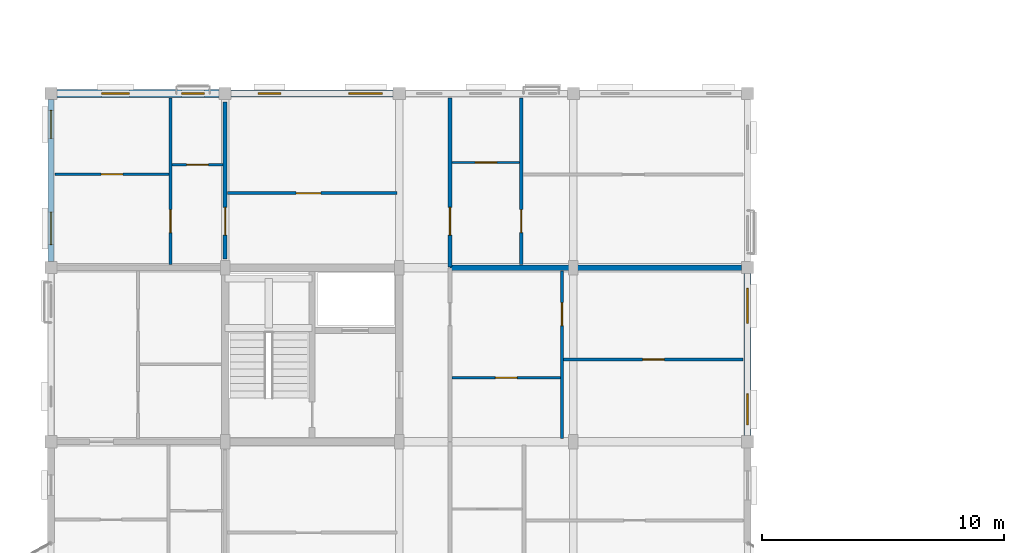
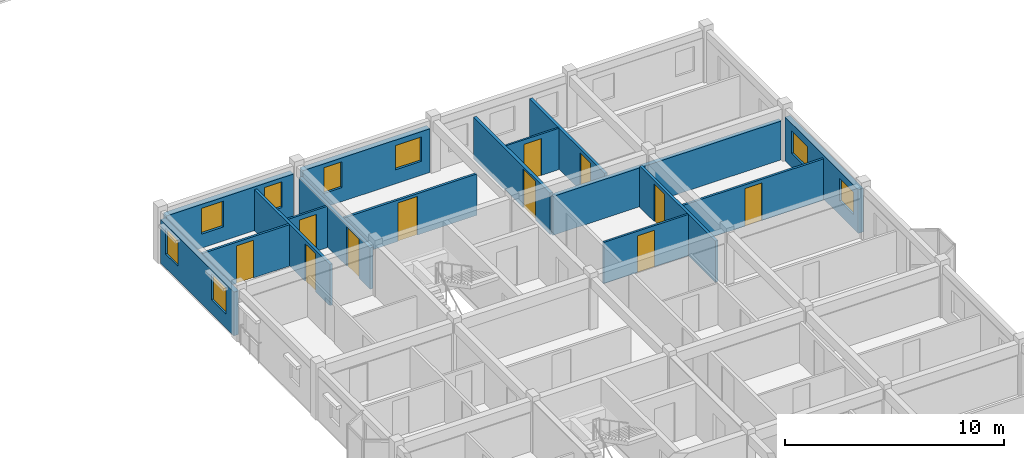
# One storey, part 42 of 64: 16 walls, 11 doors, 8 windows, 19 openings.
"""IFC4 building model written with IfcOpenShell, lengths in metres."""

from ifc_helpers import new_model, si_unit, direction, frame, frame_2d, origin, place, context, subcontext, project, spatial, rectangle, extrude, material, layer, layer_set, type_object, element, fill, save


model = new_model("IFC4")

# Units and contexts
model_context = context("Model", 3, precision=1e-05, world=origin(), true_north=direction((0.0, 1.0)))
body_context = subcontext(model_context, "Body", "Model", "MODEL_VIEW")
ifc_project = project(units=[si_unit("LENGTHUNIT", "METRE"), si_unit("AREAUNIT", "SQUARE_METRE"), si_unit("VOLUMEUNIT", "CUBIC_METRE"), si_unit("PLANEANGLEUNIT", "RADIAN"), si_unit("MASSUNIT", "GRAM", prefix="KILO"), si_unit("THERMODYNAMICTEMPERATUREUNIT", "KELVIN"), si_unit("POWERUNIT", "WATT")], contexts=[model_context])

# Site, building, storey
site_placement = place(None, origin())
site = spatial("IfcSite", under=ifc_project, at=site_placement, CompositionType="ELEMENT")
building_placement = place(site_placement, origin())
building = spatial("IfcBuilding", under=site, at=building_placement, Name="Tavuni Mirador Residences", CompositionType="ELEMENT")
storey_placement = place(building_placement, frame((0.0, 0.0, 26.550048828125)))
storey = spatial("IfcBuildingStorey", under=building, at=storey_placement, Name="L08", CompositionType="ELEMENT", Elevation=26.550048828125)

# Wall, opening, door
ifc_material_1 = material(Name="Precast concrete C40/50", Category="concrete")
ifc_layer_1 = layer(ifc_material_1, 0.1650390625, Name="Precast concrete C40/50", Category="concrete")
ifc_layer_set_1 = layer_set([ifc_layer_1], Name="Precast concrete C40/50")
wall_type_1 = type_object("IfcWallType", Name="WT-CORR165", PredefinedType="PARTITIONING", material=ifc_layer_set_1)
wall_1_placement = place(storey_placement, frame((20.10009765625, 36.02001953125, 0.0), z_axis=(0.0, 0.0, 1.0), x_axis=(0.0, 1.0, 0.0)))
wall_1 = element("IfcWall", 1, at=wall_1_placement, inside=storey, type_object=wall_type_1, Name="CORW-BLK-A-L08-0-04", PredefinedType="PARTITIONING", context=body_context, shape_type="SweptSolid", body=[
    extrude(rectangle(XDim=7.0048828125, YDim=0.1650390625, at=frame_2d((3.50244140625, 0.0))), origin(), (0.0, 0.0, 1.0), 2.304931640625),
])
opening_1_placement = place(wall_1_placement, frame((1.330078125, 0.0, 0.0)))
opening_1 = element("IfcOpeningElement", 2, at=opening_1_placement, cuts=wall_1, Name="Opening D-20", PredefinedType="OPENING", context=body_context, shape_type="SweptSolid", body=[
    extrude(rectangle(XDim=1.139892578125, YDim=2.179931640625, at=frame_2d((0.56982421875, 1.08984375))), frame((0.0, 0.092529296875, 0.0), z_axis=(0.0, -1.0, 0.0), x_axis=(1.0, 0.0, 0.0)), (0.0, 0.0, 1.0), 0.18505859375),
])
ifc_material_2 = material(Name="Solid core iroko timber", Category="wood")
door_type_1 = type_object("IfcDoorType", Name="DT-FD60-1140", OperationType="NOTDEFINED", PredefinedType="DOOR", material=ifc_material_2)
door_1_placement = place(opening_1_placement, origin())
door_1 = element("IfcDoor", 3, at=door_1_placement, inside=storey, type_object=door_type_1, Name="DR-2465", OperationType="SINGLE_SWING_RIGHT", OverallHeight=2.179931640625, OverallWidth=1.139892578125, PredefinedType="DOOR", context=body_context, shape_type="SweptSolid", body=[
    extrude(rectangle(XDim=1.139892578125, YDim=2.179931640625, at=frame_2d((0.56982421875, 1.08984375))), frame((0.0, 0.02490234375, 0.0), z_axis=(0.0, -1.0, 0.0), x_axis=(1.0, 0.0, 0.0)), (0.0, 0.0, 1.0), 0.050048828125),
])
fill(opening_1, door_1)

wall_2_placement = place(storey_placement, frame((10.800048828125, 36.35009765625, 0.0), z_axis=(0.0, 0.0, 1.0), x_axis=(0.0, 1.0, 0.0)))
wall_2 = element("IfcWall", 4, at=wall_2_placement, inside=storey, type_object=wall_type_1, Name="CORW-BLK-A-L08-1-04", PredefinedType="PARTITIONING", context=body_context, shape_type="SweptSolid", body=[
    extrude(rectangle(XDim=6.5, YDim=0.1650390625, at=frame_2d((3.25, 0.0))), origin(), (0.0, 0.0, 1.0), 2.304931640625),
])
opening_2_placement = place(wall_2_placement, frame((1.0, 0.0, 0.0)))
opening_2 = element("IfcOpeningElement", 5, at=opening_2_placement, cuts=wall_2, Name="Opening D-20", PredefinedType="OPENING", context=body_context, shape_type="SweptSolid", body=[
    extrude(rectangle(XDim=1.139892578125, YDim=2.179931640625, at=frame_2d((0.56982421875, 1.08984375))), frame((0.0, 0.092529296875, 0.0), z_axis=(0.0, -1.0, 0.0), x_axis=(1.0, 0.0, 0.0)), (0.0, 0.0, 1.0), 0.18505859375),
])
door_2_placement = place(opening_2_placement, origin())
door_2 = element("IfcDoor", 6, at=door_2_placement, inside=storey, type_object=door_type_1, Name="DR-2468", OperationType="SINGLE_SWING_LEFT", OverallHeight=2.179931640625, OverallWidth=1.139892578125, PredefinedType="DOOR", context=body_context, shape_type="SweptSolid", body=[
    extrude(rectangle(XDim=1.139892578125, YDim=2.179931640625, at=frame_2d((0.56982421875, 1.08984375))), frame((0.0, 0.02490234375, 0.0), z_axis=(0.0, -1.0, 0.0), x_axis=(1.0, 0.0, 0.0)), (0.0, 0.0, 1.0), 0.050048828125),
])
fill(opening_2, door_2)

# Wall, openings, windows
ifc_material_3 = material(Name="Sgraffito lime-rendered precast concrete C40/50", Category="concrete")
ifc_layer_2 = layer(ifc_material_3, 0.2548828125, Name="Sgraffito lime-rendered precast concrete C40/50", Category="concrete")
ifc_layer_set_2 = layer_set([ifc_layer_2], Name="Sgraffito lime-rendered precast concrete C40/50")
wall_type_2 = type_object("IfcWallType", Name="WT-EXT-PC255", PredefinedType="SOLIDWALL", material=ifc_layer_set_2)
wall_3_placement = place(storey_placement, frame((3.60009765625, 42.949951171875, 0.0), z_axis=(0.0, 0.0, 1.0), x_axis=(0.0, -1.0, 0.0)))
wall_3 = element("IfcWall", 7, at=wall_3_placement, inside=storey, type_object=wall_type_2, Name="EW-BLK-A-L08-W04", PredefinedType="SOLIDWALL", context=body_context, shape_type="SweptSolid", body=[
    extrude(rectangle(XDim=6.699951171875, YDim=0.2548828125, at=frame_2d((3.35009765625, 0.0))), origin(), (0.0, 0.0, 1.0), 2.43994140625),
])
opening_3_placement = place(wall_3_placement, frame((0.449951171875, 0.0, 0.780029296875)))
opening_3 = element("IfcOpeningElement", 8, at=opening_3_placement, cuts=wall_3, Name="Opening WN-27", PredefinedType="OPENING", context=body_context, shape_type="SweptSolid", body=[
    extrude(rectangle(XDim=1.14990234375, YDim=1.43994140625, at=frame_2d((0.574951171875, 0.719970703125))), frame((0.0, 0.137451171875, 0.0), z_axis=(0.0, -1.0, 0.0), x_axis=(1.0, 0.0, 0.0)), (0.0, 0.0, 1.0), 0.27490234375),
])
opening_4_placement = place(wall_3_placement, frame((4.64990234375, 0.0, 0.780029296875)))
opening_4 = element("IfcOpeningElement", 9, at=opening_4_placement, cuts=wall_3, Name="Opening WN-29", PredefinedType="OPENING", context=body_context, shape_type="SweptSolid", body=[
    extrude(rectangle(XDim=1.35009765625, YDim=1.43994140625, at=frame_2d((0.675048828125, 0.719970703125))), frame((0.0, 0.137451171875, 0.0), z_axis=(0.0, -1.0, 0.0), x_axis=(1.0, 0.0, 0.0)), (0.0, 0.0, 1.0), 0.27490234375),
])
ifc_material_4 = material(Name="Laminated solar-control glass", Category="glass")
window_type_1 = type_object("IfcWindowType", Name="WNT-27", PartitioningType="SINGLE_PANEL", PredefinedType="WINDOW", material=ifc_material_4)
window_1_placement = place(opening_3_placement, origin())
window_1 = element("IfcWindow", 10, at=window_1_placement, inside=storey, type_object=window_type_1, Name="WIN-0318", OverallHeight=1.43994140625, OverallWidth=1.14990234375, PartitioningType="SINGLE_PANEL", PredefinedType="WINDOW", context=body_context, shape_type="SweptSolid", body=[
    extrude(rectangle(XDim=1.14990234375, YDim=1.43994140625, at=frame_2d((0.574951171875, 0.719970703125))), frame((0.0, 0.030029296875, 0.0), z_axis=(0.0, -1.0, 0.0), x_axis=(1.0, 0.0, 0.0)), (0.0, 0.0, 1.0), 0.06005859375),
])
fill(opening_3, window_1)
window_type_2 = type_object("IfcWindowType", Name="WNT-29", PartitioningType="SINGLE_PANEL", PredefinedType="WINDOW", material=ifc_material_4)
window_2_placement = place(opening_4_placement, origin())
window_2 = element("IfcWindow", 11, at=window_2_placement, inside=storey, type_object=window_type_2, Name="WIN-0319", OverallHeight=1.43994140625, OverallWidth=1.35009765625, PartitioningType="SINGLE_PANEL", PredefinedType="WINDOW", context=body_context, shape_type="SweptSolid", body=[
    extrude(rectangle(XDim=1.35009765625, YDim=1.43994140625, at=frame_2d((0.675048828125, 0.719970703125))), frame((0.0, 0.030029296875, 0.0), z_axis=(0.0, -1.0, 0.0), x_axis=(1.0, 0.0, 0.0)), (0.0, 0.0, 1.0), 0.06005859375),
])
fill(opening_4, window_2)

ifc_layer_3 = layer(ifc_material_3, 0.27490234375, Name="Sgraffito lime-rendered precast concrete C40/50", Category="concrete")
ifc_layer_set_3 = layer_set([ifc_layer_3], Name="Sgraffito lime-rendered precast concrete C40/50")
wall_type_3 = type_object("IfcWallType", Name="WT-EXT-PC275", PredefinedType="SOLIDWALL", material=ifc_layer_set_3)
wall_4_placement = place(storey_placement, frame((32.39990234375, 29.050048828125, 0.0), z_axis=(0.0, 0.0, 1.0), x_axis=(0.0, 1.0, 0.0)))
wall_4 = element("IfcWall", 12, at=wall_4_placement, inside=storey, type_object=wall_type_3, Name="EW-BLK-A-L08-E03", PredefinedType="SOLIDWALL", context=body_context, shape_type="SweptSolid", body=[
    extrude(rectangle(XDim=6.699951171875, YDim=0.27490234375, at=frame_2d((3.35009765625, 0.0))), origin(), (0.0, 0.0, 1.0), 2.43994140625),
])
opening_5_placement = place(wall_4_placement, frame((0.449951171875, 0.0, 0.780029296875)))
opening_5 = element("IfcOpeningElement", 13, at=opening_5_placement, cuts=wall_4, Name="Opening WN-14", PredefinedType="OPENING", context=body_context, shape_type="SweptSolid", body=[
    extrude(rectangle(XDim=1.280029296875, YDim=1.260009765625, at=frame_2d((0.64013671875, 0.6298828125))), frame((0.0, 0.1474609375, 0.0), z_axis=(0.0, -1.0, 0.0), x_axis=(1.0, 0.0, 0.0)), (0.0, 0.0, 1.0), 0.294921875),
])
opening_6_placement = place(wall_4_placement, frame((4.64990234375, 0.0, 0.780029296875)))
opening_6 = element("IfcOpeningElement", 14, at=opening_6_placement, cuts=wall_4, Name="Opening WN-16", PredefinedType="OPENING", context=body_context, shape_type="SweptSolid", body=[
    extrude(rectangle(XDim=1.43994140625, YDim=1.260009765625, at=frame_2d((0.719970703125, 0.6298828125))), frame((0.0, 0.1474609375, 0.0), z_axis=(0.0, -1.0, 0.0), x_axis=(1.0, 0.0, 0.0)), (0.0, 0.0, 1.0), 0.294921875),
])
window_type_3 = type_object("IfcWindowType", Name="WNT-14", PartitioningType="SINGLE_PANEL", PredefinedType="WINDOW", material=ifc_material_4)
window_3_placement = place(opening_5_placement, origin())
window_3 = element("IfcWindow", 15, at=window_3_placement, inside=storey, type_object=window_type_3, Name="WIN-0305", OverallHeight=1.260009765625, OverallWidth=1.280029296875, PartitioningType="SINGLE_PANEL", PredefinedType="WINDOW", context=body_context, shape_type="SweptSolid", body=[
    extrude(rectangle(XDim=1.280029296875, YDim=1.260009765625, at=frame_2d((0.64013671875, 0.6298828125))), frame((0.0, 0.030029296875, 0.0), z_axis=(0.0, -1.0, 0.0), x_axis=(1.0, 0.0, 0.0)), (0.0, 0.0, 1.0), 0.06005859375),
])
fill(opening_5, window_3)
window_type_4 = type_object("IfcWindowType", Name="WNT-16", PartitioningType="SINGLE_PANEL", PredefinedType="WINDOW", material=ifc_material_4)
window_4_placement = place(opening_6_placement, origin())
window_4 = element("IfcWindow", 16, at=window_4_placement, inside=storey, type_object=window_type_4, Name="WIN-0306", OverallHeight=1.260009765625, OverallWidth=1.43994140625, PartitioningType="SINGLE_PANEL", PredefinedType="WINDOW", context=body_context, shape_type="SweptSolid", body=[
    extrude(rectangle(XDim=1.43994140625, YDim=1.260009765625, at=frame_2d((0.719970703125, 0.6298828125))), frame((0.0, 0.030029296875, 0.0), z_axis=(0.0, -1.0, 0.0), x_axis=(1.0, 0.0, 0.0)), (0.0, 0.0, 1.0), 0.06005859375),
])
fill(opening_6, window_4)

ifc_layer_4 = layer(ifc_material_3, 0.304931640625, Name="Sgraffito lime-rendered precast concrete C40/50", Category="concrete")
ifc_layer_set_4 = layer_set([ifc_layer_4], Name="Sgraffito lime-rendered precast concrete C40/50")
wall_type_4 = type_object("IfcWallType", Name="WT-EXT-PC305", PredefinedType="SOLIDWALL", material=ifc_layer_set_4)
wall_5_placement = place(storey_placement, frame((17.75, 43.199951171875, 0.0), z_axis=(0.0, 0.0, 1.0), x_axis=(-1.0, 0.0, 0.0)))
wall_5 = element("IfcWall", 17, at=wall_5_placement, inside=storey, type_object=wall_type_4, Name="EW-BLK-A-L08-N01", PredefinedType="SOLIDWALL", context=body_context, shape_type="SweptSolid", body=[
    extrude(rectangle(XDim=6.699951171875, YDim=0.304931640625, at=frame_2d((3.35009765625, 0.0))), origin(), (0.0, 0.0, 1.0), 2.43994140625),
])
opening_7_placement = place(wall_5_placement, frame((0.449951171875, 0.0, 0.780029296875)))
opening_7 = element("IfcOpeningElement", 18, at=opening_7_placement, cuts=wall_5, Name="Opening WN-23", PredefinedType="OPENING", context=body_context, shape_type="SweptSolid", body=[
    extrude(rectangle(XDim=1.3798828125, YDim=1.360107421875, at=frame_2d((0.68994140625, 0.68017578125))), frame((0.0, 0.16259765625, 0.0), z_axis=(0.0, -1.0, 0.0), x_axis=(1.0, 0.0, 0.0)), (0.0, 0.0, 1.0), 0.324951171875),
])
opening_8_placement = place(wall_5_placement, frame((4.64990234375, 0.0, 0.780029296875)))
opening_8 = element("IfcOpeningElement", 19, at=opening_8_placement, cuts=wall_5, Name="Opening WN-25", PredefinedType="OPENING", context=body_context, shape_type="SweptSolid", body=[
    extrude(rectangle(XDim=0.93994140625, YDim=1.43994140625, at=frame_2d((0.469970703125, 0.719970703125))), frame((0.0, 0.16259765625, 0.0), z_axis=(0.0, -1.0, 0.0), x_axis=(1.0, 0.0, 0.0)), (0.0, 0.0, 1.0), 0.324951171875),
])
window_type_5 = type_object("IfcWindowType", Name="WNT-23", PartitioningType="SINGLE_PANEL", PredefinedType="WINDOW", material=ifc_material_4)
window_5_placement = place(opening_7_placement, origin())
window_5 = element("IfcWindow", 20, at=window_5_placement, inside=storey, type_object=window_type_5, Name="WIN-0314", OverallHeight=1.360107421875, OverallWidth=1.3798828125, PartitioningType="SINGLE_PANEL", PredefinedType="WINDOW", context=body_context, shape_type="SweptSolid", body=[
    extrude(rectangle(XDim=1.3798828125, YDim=1.360107421875, at=frame_2d((0.68994140625, 0.68017578125))), frame((0.0, 0.030029296875, 0.0), z_axis=(0.0, -1.0, 0.0), x_axis=(1.0, 0.0, 0.0)), (0.0, 0.0, 1.0), 0.06005859375),
])
fill(opening_7, window_5)
window_type_6 = type_object("IfcWindowType", Name="WNT-25", PartitioningType="SINGLE_PANEL", PredefinedType="WINDOW", material=ifc_material_4)
window_6_placement = place(opening_8_placement, origin())
window_6 = element("IfcWindow", 21, at=window_6_placement, inside=storey, type_object=window_type_6, Name="WIN-0315", OverallHeight=1.43994140625, OverallWidth=0.93994140625, PartitioningType="SINGLE_PANEL", PredefinedType="WINDOW", context=body_context, shape_type="SweptSolid", body=[
    extrude(rectangle(XDim=0.93994140625, YDim=1.43994140625, at=frame_2d((0.469970703125, 0.719970703125))), frame((0.0, 0.030029296875, 0.0), z_axis=(0.0, -1.0, 0.0), x_axis=(1.0, 0.0, 0.0)), (0.0, 0.0, 1.0), 0.06005859375),
])
fill(opening_8, window_6)

ifc_layer_5 = layer(ifc_material_3, 0.31494140625, Name="Sgraffito lime-rendered precast concrete C40/50", Category="concrete")
ifc_layer_set_5 = layer_set([ifc_layer_5], Name="Sgraffito lime-rendered precast concrete C40/50")
wall_type_5 = type_object("IfcWallType", Name="WT-EXT-PC315", PredefinedType="SOLIDWALL", material=ifc_layer_set_5)
wall_6_placement = place(storey_placement, frame((10.550048828125, 43.199951171875, 0.0), z_axis=(0.0, 0.0, 1.0), x_axis=(-1.0, 0.0, 0.0)))
wall_6 = element("IfcWall", 22, at=wall_6_placement, inside=storey, type_object=wall_type_5, Name="EW-BLK-A-L08-N00", PredefinedType="SOLIDWALL", context=body_context, shape_type="SweptSolid", body=[
    extrude(rectangle(XDim=6.699951171875, YDim=0.31494140625, at=frame_2d((3.35009765625, 0.0))), origin(), (0.0, 0.0, 1.0), 2.43994140625),
])
opening_9_placement = place(wall_6_placement, frame((0.60498046875, 0.0, 0.780029296875)))
opening_9 = element("IfcOpeningElement", 23, at=opening_9_placement, cuts=wall_6, Name="Opening WN-25", PredefinedType="OPENING", context=body_context, shape_type="SweptSolid", body=[
    extrude(rectangle(XDim=0.93994140625, YDim=1.43994140625, at=frame_2d((0.469970703125, 0.719970703125))), frame((0.0, 0.16748046875, 0.0), z_axis=(0.0, -1.0, 0.0), x_axis=(1.0, 0.0, 0.0)), (0.0, 0.0, 1.0), 0.3349609375),
])
opening_10_placement = place(wall_6_placement, frame((3.7099609375, 0.0, 0.780029296875)))
opening_10 = element("IfcOpeningElement", 24, at=opening_10_placement, cuts=wall_6, Name="Opening WN-27", PredefinedType="OPENING", context=body_context, shape_type="SweptSolid", body=[
    extrude(rectangle(XDim=1.14990234375, YDim=1.43994140625, at=frame_2d((0.574951171875, 0.719970703125))), frame((0.0, 0.16748046875, 0.0), z_axis=(0.0, -1.0, 0.0), x_axis=(1.0, 0.0, 0.0)), (0.0, 0.0, 1.0), 0.3349609375),
])
window_7_placement = place(opening_9_placement, origin())
window_7 = element("IfcWindow", 25, at=window_7_placement, inside=storey, type_object=window_type_6, Name="WIN-0316", OverallHeight=1.43994140625, OverallWidth=0.93994140625, PartitioningType="SINGLE_PANEL", PredefinedType="WINDOW", context=body_context, shape_type="SweptSolid", body=[
    extrude(rectangle(XDim=0.93994140625, YDim=1.43994140625, at=frame_2d((0.469970703125, 0.719970703125))), frame((0.0, 0.030029296875, 0.0), z_axis=(0.0, -1.0, 0.0), x_axis=(1.0, 0.0, 0.0)), (0.0, 0.0, 1.0), 0.06005859375),
])
fill(opening_9, window_7)
window_8_placement = place(opening_10_placement, origin())
window_8 = element("IfcWindow", 26, at=window_8_placement, inside=storey, type_object=window_type_1, Name="WIN-0317", OverallHeight=1.43994140625, OverallWidth=1.14990234375, PartitioningType="SINGLE_PANEL", PredefinedType="WINDOW", context=body_context, shape_type="SweptSolid", body=[
    extrude(rectangle(XDim=1.14990234375, YDim=1.43994140625, at=frame_2d((0.574951171875, 0.719970703125))), frame((0.0, 0.030029296875, 0.0), z_axis=(0.0, -1.0, 0.0), x_axis=(1.0, 0.0, 0.0)), (0.0, 0.0, 1.0), 0.06005859375),
])
fill(opening_10, window_8)

# Wall, opening, door
ifc_material_5 = material(Name="Acoustic gypsum and concrete block partition", Category="concrete")
ifc_layer_6 = layer(ifc_material_5, 0.094970703125, Name="Acoustic gypsum and concrete block partition", Category="concrete")
ifc_layer_set_6 = layer_set([ifc_layer_6], Name="Acoustic gypsum and concrete block partition")
wall_type_6 = type_object("IfcWallType", Name="WT-PART095", PredefinedType="PARTITIONING", material=ifc_layer_set_6)
wall_7_placement = place(storey_placement, frame((20.18994140625, 40.35009765625, 0.0), z_axis=(0.0, 0.0, 1.0), x_axis=(1.0, 0.0, 0.0)))
wall_7 = element("IfcWall", 27, at=wall_7_placement, inside=storey, type_object=wall_type_6, Name="PW-BLK-A-L08-E04-IN1", PredefinedType="PARTITIONING", context=body_context, shape_type="SweptSolid", body=[
    extrude(rectangle(XDim=2.7900390625, YDim=0.094970703125, at=frame_2d((1.39501953125, 0.0))), origin(), (0.0, 0.0, 1.0), 2.304931640625),
])
opening_11_placement = place(wall_7_placement, frame((0.945068359375, 0.0, 0.0)))
opening_11 = element("IfcOpeningElement", 28, at=opening_11_placement, cuts=wall_7, Name="Opening D-09", PredefinedType="OPENING", context=body_context, shape_type="SweptSolid", body=[
    extrude(rectangle(XDim=0.89990234375, YDim=2.050048828125, at=frame_2d((0.449951171875, 1.02490234375))), frame((0.0, 0.0576171875, 0.0), z_axis=(0.0, -1.0, 0.0), x_axis=(1.0, 0.0, 0.0)), (0.0, 0.0, 1.0), 0.114990234375),
])
door_type_2 = type_object("IfcDoorType", Name="DT-WC900", OperationType="NOTDEFINED", PredefinedType="DOOR", material=ifc_material_2)
door_3_placement = place(opening_11_placement, origin())
door_3 = element("IfcDoor", 29, at=door_3_placement, inside=storey, type_object=door_type_2, Name="DR-3226", OperationType="SINGLE_SWING_RIGHT", OverallHeight=2.050048828125, OverallWidth=0.89990234375, PredefinedType="DOOR", context=body_context, shape_type="SweptSolid", body=[
    extrude(rectangle(XDim=0.89990234375, YDim=2.050048828125, at=frame_2d((0.449951171875, 1.02490234375))), frame((0.0, 0.02490234375, 0.0), z_axis=(0.0, -1.0, 0.0), x_axis=(1.0, 0.0, 0.0)), (0.0, 0.0, 1.0), 0.050048828125),
])
fill(opening_11, door_3)

ifc_layer_7 = layer(ifc_material_5, 0.10498046875, Name="Acoustic gypsum and concrete block partition", Category="concrete")
ifc_layer_set_7 = layer_set([ifc_layer_7], Name="Acoustic gypsum and concrete block partition")
wall_type_7 = type_object("IfcWallType", Name="WT-PART105", PredefinedType="PARTITIONING", material=ifc_layer_set_7)
wall_8_placement = place(storey_placement, frame((20.18994140625, 31.449951171875, 0.0), z_axis=(0.0, 0.0, 1.0), x_axis=(1.0, 0.0, 0.0)))
wall_8 = element("IfcWall", 30, at=wall_8_placement, inside=storey, type_object=wall_type_7, Name="PW-BLK-A-L08-E03-IN1", PredefinedType="PARTITIONING", context=body_context, shape_type="SweptSolid", body=[
    extrude(rectangle(XDim=4.469970703125, YDim=0.10498046875, at=frame_2d((2.23486328125, 0.0))), origin(), (0.0, 0.0, 1.0), 2.304931640625),
])
opening_12_placement = place(wall_8_placement, frame((1.784912109375, 0.0, 0.0)))
opening_12 = element("IfcOpeningElement", 31, at=opening_12_placement, cuts=wall_8, Name="Opening D-09", PredefinedType="OPENING", context=body_context, shape_type="SweptSolid", body=[
    extrude(rectangle(XDim=0.89990234375, YDim=2.050048828125, at=frame_2d((0.449951171875, 1.02490234375))), frame((0.0, 0.0625, 0.0), z_axis=(0.0, -1.0, 0.0), x_axis=(1.0, 0.0, 0.0)), (0.0, 0.0, 1.0), 0.125),
])
door_4_placement = place(opening_12_placement, origin())
door_4 = element("IfcDoor", 32, at=door_4_placement, inside=storey, type_object=door_type_2, Name="DR-3219", OperationType="SINGLE_SWING_RIGHT", OverallHeight=2.050048828125, OverallWidth=0.89990234375, PredefinedType="DOOR", context=body_context, shape_type="SweptSolid", body=[
    extrude(rectangle(XDim=0.89990234375, YDim=2.050048828125, at=frame_2d((0.449951171875, 1.02490234375))), frame((0.0, 0.02490234375, 0.0), z_axis=(0.0, -1.0, 0.0), x_axis=(1.0, 0.0, 0.0)), (0.0, 0.0, 1.0), 0.050048828125),
])
fill(opening_12, door_4)

wall_9_placement = place(storey_placement, frame((8.610107421875, 40.260009765625, 0.0), z_axis=(0.0, 0.0, 1.0), x_axis=(1.0, 0.0, 0.0)))
wall_9 = element("IfcWall", 33, at=wall_9_placement, inside=storey, type_object=wall_type_7, Name="PW-BLK-A-L08-W04-IN1", PredefinedType="PARTITIONING", context=body_context, shape_type="SweptSolid", body=[
    extrude(rectangle(XDim=2.099853515625, YDim=0.10498046875, at=frame_2d((1.0498046875, 0.0))), origin(), (0.0, 0.0, 1.0), 2.304931640625),
])
opening_13_placement = place(wall_9_placement, frame((0.60009765625, 0.0, 0.0)))
opening_13 = element("IfcOpeningElement", 34, at=opening_13_placement, cuts=wall_9, Name="Opening D-09", PredefinedType="OPENING", context=body_context, shape_type="SweptSolid", body=[
    extrude(rectangle(XDim=0.89990234375, YDim=2.050048828125, at=frame_2d((0.449951171875, 1.02490234375))), frame((0.0, 0.0625, 0.0), z_axis=(0.0, -1.0, 0.0), x_axis=(1.0, 0.0, 0.0)), (0.0, 0.0, 1.0), 0.125),
])
door_5_placement = place(opening_13_placement, origin())
door_5 = element("IfcDoor", 35, at=door_5_placement, inside=storey, type_object=door_type_2, Name="DR-3223", OperationType="SINGLE_SWING_RIGHT", OverallHeight=2.050048828125, OverallWidth=0.89990234375, PredefinedType="DOOR", context=body_context, shape_type="SweptSolid", body=[
    extrude(rectangle(XDim=0.89990234375, YDim=2.050048828125, at=frame_2d((0.449951171875, 1.02490234375))), frame((0.0, 0.02490234375, 0.0), z_axis=(0.0, -1.0, 0.0), x_axis=(1.0, 0.0, 0.0)), (0.0, 0.0, 1.0), 0.050048828125),
])
fill(opening_13, door_5)

ifc_layer_8 = layer(ifc_material_5, 0.114990234375, Name="Acoustic gypsum and concrete block partition", Category="concrete")
ifc_layer_set_8 = layer_set([ifc_layer_8], Name="Acoustic gypsum and concrete block partition")
wall_type_8 = type_object("IfcWallType", Name="WT-PART115", PredefinedType="PARTITIONING", material=ifc_layer_set_8)
wall_10_placement = place(storey_placement, frame((24.800048828125, 32.199951171875, 0.0), z_axis=(0.0, 0.0, 1.0), x_axis=(1.0, 0.0, 0.0)))
wall_10 = element("IfcWall", 36, at=wall_10_placement, inside=storey, type_object=wall_type_8, Name="PW-BLK-A-L08-E03-OUT", PredefinedType="PARTITIONING", context=body_context, shape_type="SweptSolid", body=[
    extrude(rectangle(XDim=7.425048828125, YDim=0.114990234375, at=frame_2d((3.71240234375, 0.0))), origin(), (0.0, 0.0, 1.0), 2.304931640625),
])
opening_14_placement = place(wall_10_placement, frame((3.262451171875, 0.0, 0.0)))
opening_14 = element("IfcOpeningElement", 37, at=opening_14_placement, cuts=wall_10, Name="Opening D-07", PredefinedType="OPENING", context=body_context, shape_type="SweptSolid", body=[
    extrude(rectangle(XDim=0.89990234375, YDim=2.10009765625, at=frame_2d((0.449951171875, 1.050048828125))), frame((0.0, 0.0673828125, 0.0), z_axis=(0.0, -1.0, 0.0), x_axis=(1.0, 0.0, 0.0)), (0.0, 0.0, 1.0), 0.135009765625),
])
door_type_3 = type_object("IfcDoorType", Name="DT-BED900", OperationType="NOTDEFINED", PredefinedType="DOOR", material=ifc_material_2)
door_6_placement = place(opening_14_placement, origin())
door_6 = element("IfcDoor", 38, at=door_6_placement, inside=storey, type_object=door_type_3, Name="DR-3218", OperationType="SINGLE_SWING_LEFT", OverallHeight=2.10009765625, OverallWidth=0.89990234375, PredefinedType="DOOR", context=body_context, shape_type="SweptSolid", body=[
    extrude(rectangle(XDim=0.89990234375, YDim=2.10009765625, at=frame_2d((0.449951171875, 1.050048828125))), frame((0.0, 0.02490234375, 0.0), z_axis=(0.0, -1.0, 0.0), x_axis=(1.0, 0.0, 0.0)), (0.0, 0.0, 1.0), 0.050048828125),
])
fill(opening_14, door_6)

wall_11_placement = place(storey_placement, frame((3.77490234375, 39.860107421875, 0.0), z_axis=(0.0, 0.0, 1.0), x_axis=(1.0, 0.0, 0.0)))
wall_11 = element("IfcWall", 39, at=wall_11_placement, inside=storey, type_object=wall_type_8, Name="PW-BLK-A-L08-W04-OUT", PredefinedType="PARTITIONING", context=body_context, shape_type="SweptSolid", body=[
    extrude(rectangle(XDim=4.695068359375, YDim=0.114990234375, at=frame_2d((2.34765625, 0.0))), origin(), (0.0, 0.0, 1.0), 2.304931640625),
])
opening_15_placement = place(wall_11_placement, frame((1.8974609375, 0.0, 0.0)))
opening_15 = element("IfcOpeningElement", 40, at=opening_15_placement, cuts=wall_11, Name="Opening D-07", PredefinedType="OPENING", context=body_context, shape_type="SweptSolid", body=[
    extrude(rectangle(XDim=0.89990234375, YDim=2.10009765625, at=frame_2d((0.449951171875, 1.050048828125))), frame((0.0, 0.0673828125, 0.0), z_axis=(0.0, -1.0, 0.0), x_axis=(1.0, 0.0, 0.0)), (0.0, 0.0, 1.0), 0.135009765625),
])
door_7_placement = place(opening_15_placement, origin())
door_7 = element("IfcDoor", 41, at=door_7_placement, inside=storey, type_object=door_type_3, Name="DR-3222", OperationType="SINGLE_SWING_LEFT", OverallHeight=2.10009765625, OverallWidth=0.89990234375, PredefinedType="DOOR", context=body_context, shape_type="SweptSolid", body=[
    extrude(rectangle(XDim=0.89990234375, YDim=2.10009765625, at=frame_2d((0.449951171875, 1.050048828125))), frame((0.0, 0.02490234375, 0.0), z_axis=(0.0, -1.0, 0.0), x_axis=(1.0, 0.0, 0.0)), (0.0, 0.0, 1.0), 0.050048828125),
])
fill(opening_15, door_7)

ifc_layer_9 = layer(ifc_material_5, 0.125, Name="Acoustic gypsum and concrete block partition", Category="concrete")
ifc_layer_set_9 = layer_set([ifc_layer_9], Name="Acoustic gypsum and concrete block partition")
wall_type_9 = type_object("IfcWallType", Name="WT-PART125", PredefinedType="PARTITIONING", material=ifc_layer_set_9)
wall_12_placement = place(storey_placement, frame((10.889892578125, 39.080078125, 0.0), z_axis=(0.0, 0.0, 1.0), x_axis=(1.0, 0.0, 0.0)))
wall_12 = element("IfcWall", 42, at=wall_12_placement, inside=storey, type_object=wall_type_9, Name="PW-SPN-BLK-A-L08-04", PredefinedType="PARTITIONING", context=body_context, shape_type="SweptSolid", body=[
    extrude(rectangle(XDim=7.02001953125, YDim=0.125, at=frame_2d((3.510009765625, 0.0))), origin(), (0.0, 0.0, 1.0), 2.304931640625),
])
opening_16_placement = place(wall_12_placement, frame((2.85009765625, 0.0, 0.0)))
opening_16 = element("IfcOpeningElement", 43, at=opening_16_placement, cuts=wall_12, Name="Opening D-13", PredefinedType="OPENING", context=body_context, shape_type="SweptSolid", body=[
    extrude(rectangle(XDim=1.02001953125, YDim=2.14990234375, at=frame_2d((0.510009765625, 1.074951171875))), frame((0.0, 0.072509765625, 0.0), z_axis=(0.0, -1.0, 0.0), x_axis=(1.0, 0.0, 0.0)), (0.0, 0.0, 1.0), 0.14501953125),
])
door_type_4 = type_object("IfcDoorType", Name="DT-MTG1020", OperationType="NOTDEFINED", PredefinedType="DOOR", material=ifc_material_2)
door_8_placement = place(opening_16_placement, origin())
door_8 = element("IfcDoor", 44, at=door_8_placement, inside=storey, type_object=door_type_4, Name="DR-3221", OperationType="SINGLE_SWING_LEFT", OverallHeight=2.14990234375, OverallWidth=1.02001953125, PredefinedType="DOOR", context=body_context, shape_type="SweptSolid", body=[
    extrude(rectangle(XDim=1.02001953125, YDim=2.14990234375, at=frame_2d((0.510009765625, 1.074951171875))), frame((0.0, 0.02490234375, 0.0), z_axis=(0.0, -1.0, 0.0), x_axis=(1.0, 0.0, 0.0)), (0.0, 0.0, 1.0), 0.050048828125),
])
fill(opening_16, door_8)

ifc_layer_10 = layer(ifc_material_5, 0.139892578125, Name="Acoustic gypsum and concrete block partition", Category="concrete")
ifc_layer_set_10 = layer_set([ifc_layer_10], Name="Acoustic gypsum and concrete block partition")
wall_type_10 = type_object("IfcWallType", Name="WT-PART140", PredefinedType="PARTITIONING", material=ifc_layer_set_10)
wall_13_placement = place(storey_placement, frame((24.72998046875, 28.93994140625, 0.0), z_axis=(0.0, 0.0, 1.0), x_axis=(0.0, 1.0, 0.0)))
wall_13 = element("IfcWall", 45, at=wall_13_placement, inside=storey, type_object=wall_type_10, Name="PW-BLK-A-L08-E03-MID", PredefinedType="PARTITIONING", context=body_context, shape_type="SweptSolid", body=[
    extrude(rectangle(XDim=6.920166015625, YDim=0.139892578125, at=frame_2d((3.4599609375, 0.0))), origin(), (0.0, 0.0, 1.0), 2.304931640625),
])
opening_17_placement = place(wall_13_placement, frame((4.659912109375, 0.0, 0.0)))
opening_17 = element("IfcOpeningElement", 46, at=opening_17_placement, cuts=wall_13, Name="Opening D-05", PredefinedType="OPENING", context=body_context, shape_type="SweptSolid", body=[
    extrude(rectangle(XDim=0.949951171875, YDim=2.10009765625, at=frame_2d((0.47509765625, 1.050048828125))), frame((0.0, 0.080078125, 0.0), z_axis=(0.0, -1.0, 0.0), x_axis=(1.0, 0.0, 0.0)), (0.0, 0.0, 1.0), 0.159912109375),
])
door_type_5 = type_object("IfcDoorType", Name="DT-INT950", OperationType="NOTDEFINED", PredefinedType="DOOR", material=ifc_material_2)
door_9_placement = place(opening_17_placement, origin())
door_9 = element("IfcDoor", 47, at=door_9_placement, inside=storey, type_object=door_type_5, Name="DR-3220", OperationType="SINGLE_SWING_LEFT", OverallHeight=2.10009765625, OverallWidth=0.949951171875, PredefinedType="DOOR", context=body_context, shape_type="SweptSolid", body=[
    extrude(rectangle(XDim=0.949951171875, YDim=2.10009765625, at=frame_2d((0.47509765625, 1.050048828125))), frame((0.0, 0.02490234375, 0.0), z_axis=(0.0, -1.0, 0.0), x_axis=(1.0, 0.0, 0.0)), (0.0, 0.0, 1.0), 0.050048828125),
])
fill(opening_17, door_9)

wall_14_placement = place(storey_placement, frame((8.5400390625, 36.139892578125, 0.0), z_axis=(0.0, 0.0, 1.0), x_axis=(0.0, 1.0, 0.0)))
wall_14 = element("IfcWall", 48, at=wall_14_placement, inside=storey, type_object=wall_type_10, Name="PW-BLK-A-L08-W04-MID", PredefinedType="PARTITIONING", context=body_context, shape_type="SweptSolid", body=[
    extrude(rectangle(XDim=6.885009765625, YDim=0.139892578125, at=frame_2d((3.4423828125, 0.0))), origin(), (0.0, 0.0, 1.0), 2.304931640625),
])
opening_18_placement = place(wall_14_placement, frame((1.31005859375, 0.0, 0.0)))
opening_18 = element("IfcOpeningElement", 49, at=opening_18_placement, cuts=wall_14, Name="Opening D-05", PredefinedType="OPENING", context=body_context, shape_type="SweptSolid", body=[
    extrude(rectangle(XDim=0.949951171875, YDim=2.10009765625, at=frame_2d((0.47509765625, 1.050048828125))), frame((0.0, 0.080078125, 0.0), z_axis=(0.0, -1.0, 0.0), x_axis=(1.0, 0.0, 0.0)), (0.0, 0.0, 1.0), 0.159912109375),
])
door_10_placement = place(opening_18_placement, origin())
door_10 = element("IfcDoor", 50, at=door_10_placement, inside=storey, type_object=door_type_5, Name="DR-3224", OperationType="SINGLE_SWING_LEFT", OverallHeight=2.10009765625, OverallWidth=0.949951171875, PredefinedType="DOOR", context=body_context, shape_type="SweptSolid", body=[
    extrude(rectangle(XDim=0.949951171875, YDim=2.10009765625, at=frame_2d((0.47509765625, 1.050048828125))), frame((0.0, 0.02490234375, 0.0), z_axis=(0.0, -1.0, 0.0), x_axis=(1.0, 0.0, 0.0)), (0.0, 0.0, 1.0), 0.050048828125),
])
fill(opening_18, door_10)

ifc_layer_11 = layer(ifc_material_5, 0.14990234375, Name="Acoustic gypsum and concrete block partition", Category="concrete")
ifc_layer_set_11 = layer_set([ifc_layer_11], Name="Acoustic gypsum and concrete block partition")
wall_type_11 = type_object("IfcWallType", Name="WT-PART150", PredefinedType="PARTITIONING", material=ifc_layer_set_11)
wall_15_placement = place(storey_placement, frame((23.050048828125, 36.139892578125, 0.0), z_axis=(0.0, 0.0, 1.0), x_axis=(0.0, 1.0, 0.0)))
wall_15 = element("IfcWall", 51, at=wall_15_placement, inside=storey, type_object=wall_type_11, Name="PW-BLK-A-L08-E04-MID", PredefinedType="PARTITIONING", context=body_context, shape_type="SweptSolid", body=[
    extrude(rectangle(XDim=6.885009765625, YDim=0.14990234375, at=frame_2d((3.4423828125, 0.0))), origin(), (0.0, 0.0, 1.0), 2.304931640625),
])
opening_19_placement = place(wall_15_placement, frame((1.31005859375, 0.0, 0.0)))
opening_19 = element("IfcOpeningElement", 52, at=opening_19_placement, cuts=wall_15, Name="Opening D-05", PredefinedType="OPENING", context=body_context, shape_type="SweptSolid", body=[
    extrude(rectangle(XDim=0.949951171875, YDim=2.10009765625, at=frame_2d((0.47509765625, 1.050048828125))), frame((0.0, 0.0849609375, 0.0), z_axis=(0.0, -1.0, 0.0), x_axis=(1.0, 0.0, 0.0)), (0.0, 0.0, 1.0), 0.169921875),
])
door_11_placement = place(opening_19_placement, origin())
door_11 = element("IfcDoor", 53, at=door_11_placement, inside=storey, type_object=door_type_5, Name="DR-3227", OperationType="SINGLE_SWING_LEFT", OverallHeight=2.10009765625, OverallWidth=0.949951171875, PredefinedType="DOOR", context=body_context, shape_type="SweptSolid", body=[
    extrude(rectangle(XDim=0.949951171875, YDim=2.10009765625, at=frame_2d((0.47509765625, 1.050048828125))), frame((0.0, 0.02490234375, 0.0), z_axis=(0.0, -1.0, 0.0), x_axis=(1.0, 0.0, 0.0)), (0.0, 0.0, 1.0), 0.050048828125),
])
fill(opening_19, door_11)

# Wall
ifc_layer_12 = layer(ifc_material_1, 0.215087890625, Name="Precast concrete C40/50", Category="concrete")
ifc_layer_set_12 = layer_set([ifc_layer_12], Name="Precast concrete C40/50")
wall_type_12 = type_object("IfcWallType", Name="WT-XW215", PredefinedType="SOLIDWALL", material=ifc_layer_set_12)
wall_16_placement = place(storey_placement, frame((20.10009765625, 36.0, 0.0), z_axis=(0.0, 0.0, 1.0), x_axis=(1.0, 0.0, 0.0)))
element("IfcWall", 54, at=wall_16_placement, inside=storey, type_object=wall_type_12, Name="XW-BLK-A-L08-E-04", PredefinedType="SOLIDWALL", context=body_context, shape_type="SweptSolid", body=[
    extrude(rectangle(XDim=12.0498046875, YDim=0.215087890625, at=frame_2d((6.02490234375, 0.0))), origin(), (0.0, 0.0, 1.0), 2.169921875),
])

save(model, "model.ifc")
